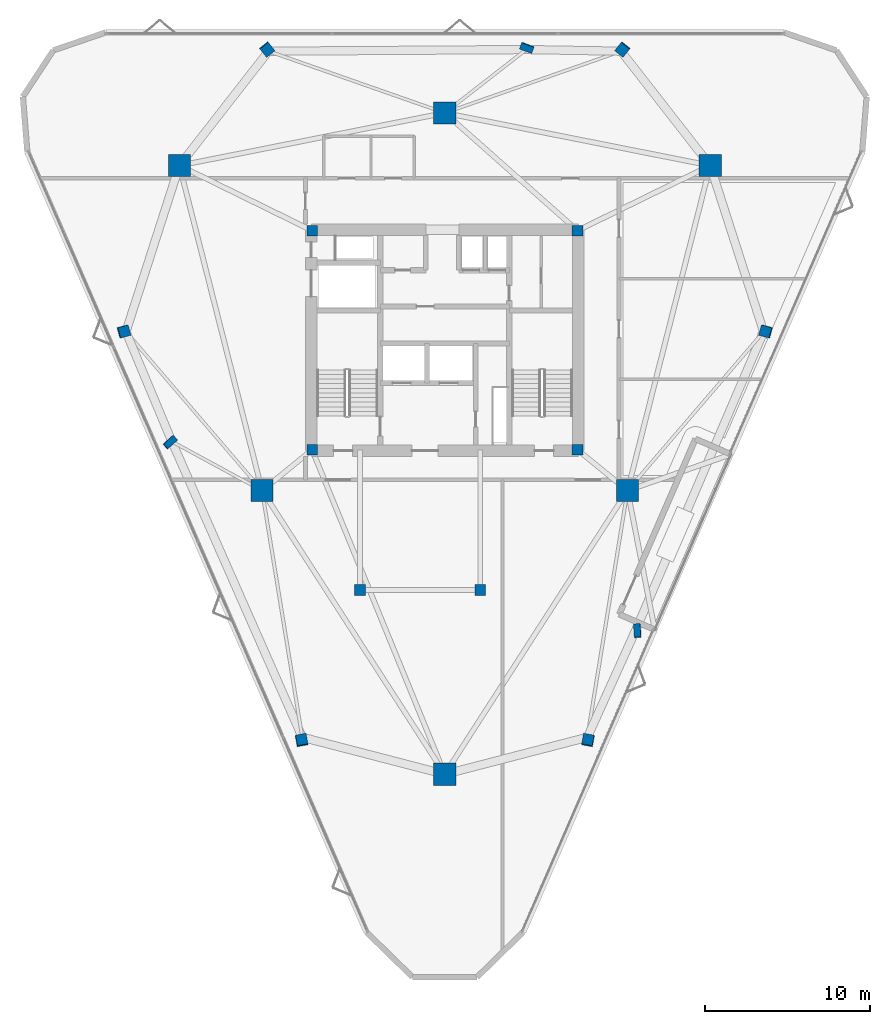
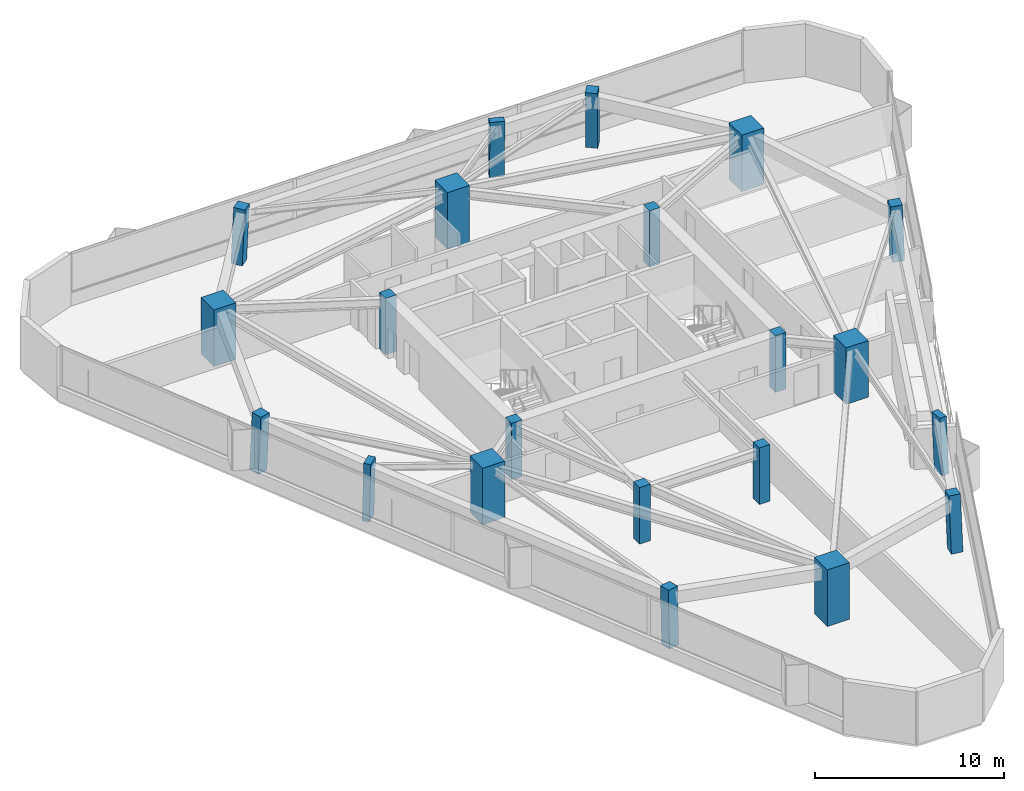
# One storey, part 1 of 11: 21 columns.
"""IFC4 building model written with IfcOpenShell, lengths in metres."""

from ifc_helpers import new_model, si_unit, direction, frame, origin, origin_2d, place, context, subcontext, project, spatial, rectangle, extrude, material, material_profile, profile_set, type_object, element, save


model = new_model("IFC4")

# Units and contexts
model_context = context("Model", 3, precision=1e-05, world=origin(), true_north=direction((0.0, 1.0)))
body_context = subcontext(model_context, "Body", "Model", "MODEL_VIEW")
ifc_project = project(units=[si_unit("LENGTHUNIT", "METRE"), si_unit("AREAUNIT", "SQUARE_METRE"), si_unit("VOLUMEUNIT", "CUBIC_METRE"), si_unit("PLANEANGLEUNIT", "RADIAN"), si_unit("MASSUNIT", "GRAM", prefix="KILO")], contexts=[model_context])

# Site, building, storey
site_placement = place(None, origin())
site = spatial("IfcSite", under=ifc_project, at=site_placement, CompositionType="ELEMENT")
building_placement = place(site_placement, origin())
building = spatial("IfcBuilding", under=site, at=building_placement, Name="Talyreon Biosciences Tower", CompositionType="ELEMENT")
storey_placement = place(building_placement, frame((0.0, 0.0, 201.300048828125)))
storey = spatial("IfcBuildingStorey", under=building, at=storey_placement, Name="L53", CompositionType="ELEMENT", Elevation=201.300048828125)

# Columns
ifc_material_1 = material(Name="Precast concrete C45/55", Category="concrete")
ifc_material_profile_1 = material_profile(ifc_material_1, rectangle(XDim=0.800048828125, YDim=0.39990234375, at=origin_2d()), Name="RC 800x400")
ifc_profile_set_1 = profile_set([ifc_material_profile_1], Name="Precast concrete C45/55")
column_type_1 = type_object("IfcColumnType", Name="FacadePilaster_800x400", PredefinedType="PILASTER", material=ifc_profile_set_1)
column_1_placement = place(storey_placement, frame((77.6923828125, 50.356201171875, 0.0029296875), z_axis=(-0.019612004119, 0.038286915892, 0.999074312234), x_axis=(0.062860529259, -0.99724229671, 0.039450671901)))
element("IfcColumn", 1, at=column_1_placement, inside=storey, type_object=column_type_1, Name="L53 Facade Pilaster PL-SE", PredefinedType="PILASTER", context=body_context, shape_type="SweptSolid", body=[
    extrude(rectangle(XDim=0.800048828125, YDim=0.39990234375, at=origin_2d()), origin(), (0.0, 0.0, 1.0), 3.6474609375),
])
column_2_placement = place(storey_placement, frame((70.98095703125, 85.757568359375, 0.0029296875), z_axis=(-0.01238655289, -0.033544124313, 0.999360478022), x_axis=(-0.9380871136, 0.346399433166, 0.0)))
element("IfcColumn", 2, at=column_2_placement, inside=storey, type_object=column_type_1, Name="L53 Facade Pilaster PL-N", PredefinedType="PILASTER", context=body_context, shape_type="SweptSolid", body=[
    extrude(rectangle(XDim=0.800048828125, YDim=0.39990234375, at=origin_2d()), origin(), (0.0, 0.0, 1.0), 3.646484375),
])
column_3_placement = place(storey_placement, frame((49.326904296875, 61.81298828125, 0.0029296875), z_axis=(0.031939586172, 0.010512610124, 0.999434514045), x_axis=(0.745965975562, 0.665269751672, -0.030837003977)))
element("IfcColumn", 3, at=column_3_placement, inside=storey, type_object=column_type_1, Name="L53 Facade Pilaster PL-SW", PredefinedType="PILASTER", context=body_context, shape_type="SweptSolid", body=[
    extrude(rectangle(XDim=0.800048828125, YDim=0.39990234375, at=origin_2d()), origin(), (0.0, 0.0, 1.0), 3.64599609375),
])
ifc_material_2 = material(Name="Concrete C50/60", Category="concrete")
ifc_material_profile_2 = material_profile(ifc_material_2, rectangle(XDim=1.35009765625, YDim=1.35009765625, at=origin_2d()), Name="RC 1350x1350")
ifc_profile_set_2 = profile_set([ifc_material_profile_2], Name="Concrete C50/60")
column_type_2 = type_object("IfcColumnType", Name="MegaColumn_1350", PredefinedType="COLUMN", material=ifc_profile_set_2)
for number, where, z_axis, x_axis, name in (
    (4, (66.0, 41.6669921875, 0.0), (0.0, 0.0, 1.0), (1.0, 0.0, 0.0), "L53 Composite Mega-Column MC1"),
    (5, (82.102294921875, 78.5986328125, 0.0), (0.0, 0.0, 1.0), (1.0, 0.0, 0.0), "L53 Composite Mega-Column MC2"),
    (6, (49.897705078125, 78.5986328125, 0.0), (0.0, 0.0, 1.0), (1.0, 0.0, 0.0), "L53 Composite Mega-Column MC3"),
    (7, (77.086181640625, 58.88037109375, 0.0), (0.0, 0.0, 1.0), (1.0, 0.0, 0.0), "L53 Composite Mega-Column MC4"),
    (8, (66.0, 81.788818359375, 0.0), (0.0, 0.0, 1.0), (1.0, 0.0, 0.0), "L53 Composite Mega-Column MC5"),
    (9, (54.913818359375, 58.88037109375, 0.0), (0.0, 0.0, 1.0), (1.0, 0.0, 0.0), "L53 Composite Mega-Column MC6"),
):
    element("IfcColumn", number, at=place(storey_placement, frame(where, z_axis=z_axis, x_axis=x_axis)), inside=storey, type_object=column_type_2, Name=name, PredefinedType="COLUMN", context=body_context, shape_type="SweptSolid", body=[
        extrude(rectangle(XDim=1.35009765625, YDim=1.35009765625, at=origin_2d()), origin(), (0.0, 0.0, 1.0), 3.64990234375),
    ])
ifc_material_profile_3 = material_profile(ifc_material_2, rectangle(XDim=0.64990234375, YDim=0.64990234375, at=origin_2d()), Name="RC 650x650")
ifc_profile_set_3 = profile_set([ifc_material_profile_3], Name="Concrete C50/60")
column_type_3 = type_object("IfcColumnType", Name="PerimeterColumn_650", PredefinedType="COLUMN", material=ifc_profile_set_3)
for number, where, z_axis, x_axis, name in (
    (10, (57.949951171875, 61.35009765625, 0.0), (0.0, 0.0, 1.0), (1.0, 0.0, 0.0), "L53 Core Column CC1"),
    (11, (74.050048828125, 61.35009765625, 0.0), (0.0, 0.0, 1.0), (1.0, 0.0, 0.0), "L53 Core Column CC2"),
    (12, (74.050048828125, 74.64990234375, 0.0), (0.0, 0.0, 1.0), (1.0, 0.0, 0.0), "L53 Core Column CC3"),
    (13, (57.949951171875, 74.64990234375, 0.0), (0.0, 0.0, 1.0), (1.0, 0.0, 0.0), "L53 Core Column CC4"),
    (14, (60.85009765625, 52.840087890625, 0.0), (0.0, 0.0, 1.0), (1.0, 0.0, 0.0), "L53 Core Column CSW"),
    (15, (68.14990234375, 52.840087890625, 0.0), (0.0, 0.0, 1.0), (1.0, 0.0, 0.0), "L53 Core Column CSE"),
):
    element("IfcColumn", number, at=place(storey_placement, frame(where, z_axis=z_axis, x_axis=x_axis)), inside=storey, type_object=column_type_3, Name=name, PredefinedType="COLUMN", context=body_context, shape_type="SweptSolid", body=[
        extrude(rectangle(XDim=0.64990234375, YDim=0.64990234375, at=origin_2d()), origin(), (0.0, 0.0, 1.0), 3.64990234375),
    ])
column_4_placement = place(storey_placement, frame((74.695068359375, 43.712890625, 0.0029296875), z_axis=(-0.012375141264, 0.054450621561, 0.998439775695), x_axis=(-0.185859109116, -0.981241063494, 0.051209050683)))
element("IfcColumn", 16, at=column_4_placement, inside=storey, type_object=column_type_3, Name="L53 Tapering Perimeter Column PC-SE1", PredefinedType="COLUMN", context=body_context, shape_type="SweptSolid", body=[
    extrude(rectangle(XDim=0.64990234375, YDim=0.64990234375, at=origin_2d()), origin(), (0.0, 0.0, 1.0), 3.649658203125),
])
column_5_placement = place(storey_placement, frame((85.487060546875, 68.535888671875, 0.0029296875), z_axis=(-0.039229493406, -0.00569028488, 0.999214024874), x_axis=(0.964102718785, -0.263029272367, 0.036353122408)))
element("IfcColumn", 17, at=column_5_placement, inside=storey, type_object=column_type_3, Name="L53 Tapering Perimeter Column PC-SE2", PredefinedType="COLUMN", context=body_context, shape_type="SweptSolid", body=[
    extrude(rectangle(XDim=0.64990234375, YDim=0.64990234375, at=origin_2d()), origin(), (0.0, 0.0, 1.0), 3.64697265625),
])
for number, where, z_axis, x_axis, name in (
    (18, (76.7919921875, 85.657470703125, 0.0029296875), (-0.026841076243, -0.033534611465, 0.999077067328), (-0.780716755404, 0.624885067698, 0.0), "L53 Tapering Perimeter Column PC-N1"),
    (19, (55.2080078125, 85.657470703125, 0.0029296875), (0.026841076243, -0.033534611465, 0.999077067328), (-0.780716755404, -0.624885067698, 0.0), "L53 Tapering Perimeter Column PC-N2"),
):
    element("IfcColumn", number, at=place(storey_placement, frame(where, z_axis=z_axis, x_axis=x_axis)), inside=storey, type_object=column_type_3, Name=name, PredefinedType="COLUMN", context=body_context, shape_type="SweptSolid", body=[
        extrude(rectangle(XDim=0.64990234375, YDim=0.64990234375, at=origin_2d()), origin(), (0.0, 0.0, 1.0), 3.6474609375),
    ])
column_6_placement = place(storey_placement, frame((46.512939453125, 68.535888671875, 0.0029296875), z_axis=(0.039229493406, -0.00569028488, 0.999214024874), x_axis=(0.964102718785, 0.263029272367, -0.036353122408)))
element("IfcColumn", 20, at=column_6_placement, inside=storey, type_object=column_type_3, Name="L53 Tapering Perimeter Column PC-SW1", PredefinedType="COLUMN", context=body_context, shape_type="SweptSolid", body=[
    extrude(rectangle(XDim=0.64990234375, YDim=0.64990234375, at=origin_2d()), origin(), (0.0, 0.0, 1.0), 3.64697265625),
])
column_7_placement = place(storey_placement, frame((57.304931640625, 43.712890625, 0.0029296875), z_axis=(0.012375141264, 0.054450621561, 0.998439775695), x_axis=(-0.185859109116, 0.981241063494, -0.051209050683)))
element("IfcColumn", 21, at=column_7_placement, inside=storey, type_object=column_type_3, Name="L53 Tapering Perimeter Column PC-SW2", PredefinedType="COLUMN", context=body_context, shape_type="SweptSolid", body=[
    extrude(rectangle(XDim=0.64990234375, YDim=0.64990234375, at=origin_2d()), origin(), (0.0, 0.0, 1.0), 3.649658203125),
])

save(model, "model.ifc")
